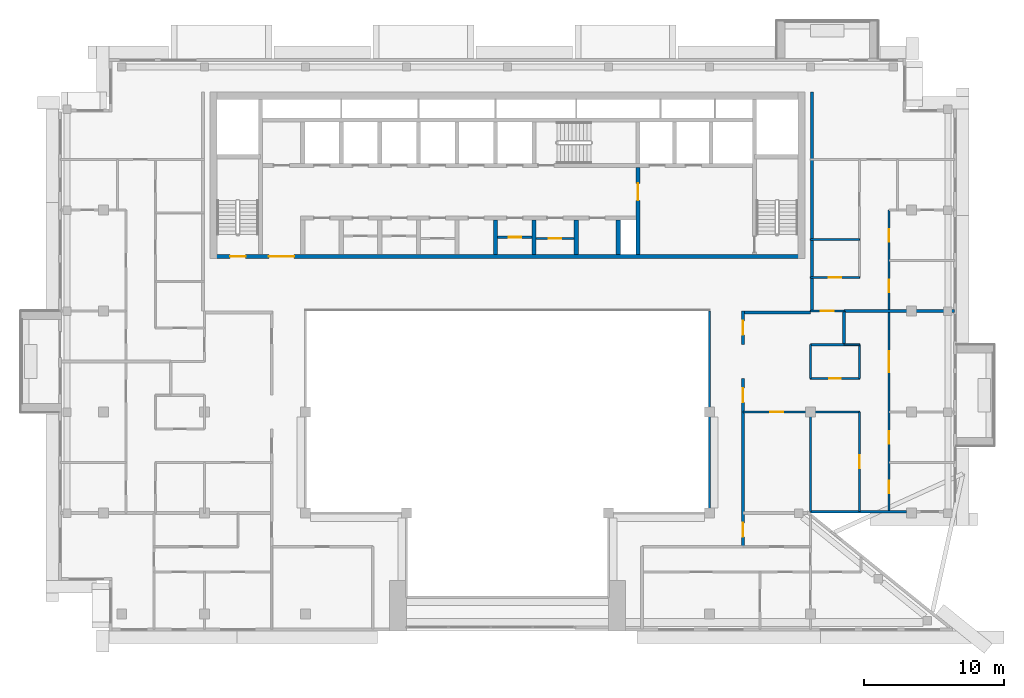
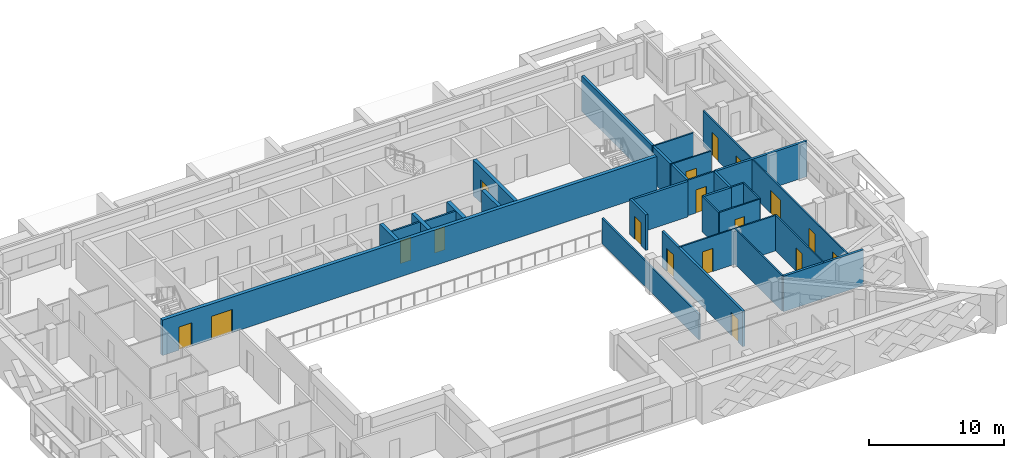
# One storey, part 9 of 18: 28 walls, 18 doors, 18 openings.
"""IFC4 building model written with IfcOpenShell, lengths in metres."""

from ifc_helpers import new_model, si_unit, direction, frame, frame_2d, origin, place, context, subcontext, project, spatial, rectangle, extrude, material, layer, layer_set, type_object, element, fill, save


model = new_model("IFC4")

# Units and contexts
model_context = context("Model", 3, precision=1e-05, world=origin(), true_north=direction((0.0, 1.0)))
body_context = subcontext(model_context, "Body", "Model", "MODEL_VIEW")
ifc_project = project(units=[si_unit("LENGTHUNIT", "METRE"), si_unit("AREAUNIT", "SQUARE_METRE"), si_unit("VOLUMEUNIT", "CUBIC_METRE"), si_unit("PLANEANGLEUNIT", "RADIAN"), si_unit("MASSUNIT", "GRAM", prefix="KILO")], contexts=[model_context])

# Site, building, storey
site_placement = place(None, origin())
site = spatial("IfcSite", under=ifc_project, at=site_placement, CompositionType="ELEMENT")
building_placement = place(site_placement, origin())
building = spatial("IfcBuilding", under=site, at=building_placement, Name="Saffron Iwan Residences", CompositionType="ELEMENT")
storey_placement = place(building_placement, frame((0.0, 0.0, 257.0)))
storey = spatial("IfcBuildingStorey", under=building, at=storey_placement, Name="L69", CompositionType="ELEMENT", Elevation=257.0)

# Wall
ifc_material_1 = material(Name="Fire-rated glazing", Category="glass")
ifc_layer_1 = layer(ifc_material_1, 0.14990234375)
ifc_layer_set_1 = layer_set([ifc_layer_1], Name="Fire-rated glazing")
wall_type_1 = type_object("IfcWallType", Name="Atrium glazed screen 150", PredefinedType="SOLIDWALL", material=ifc_layer_set_1)
wall_1_placement = place(storey_placement, frame((64.800048828125, 48.0, 0.0), z_axis=(0.0, 0.0, 1.0), x_axis=(0.0, 1.0, 0.0)))
element("IfcWall", 1, at=wall_1_placement, inside=storey, type_object=wall_type_1, Name="W-L69-SCREEN-v64.8-48", PredefinedType="SOLIDWALL", context=body_context, shape_type="SweptSolid", body=[
    extrude(rectangle(XDim=14.39990234375, YDim=0.14990234375, at=frame_2d((7.199951171875, 0.0))), origin(), (0.0, 0.0, 1.0), 2.320068359375),
])

# Wall, opening, door
ifc_material_2 = material(Name="Fire-rated plasterboard partition")
ifc_layer_2 = layer(ifc_material_2, 0.14990234375)
ifc_layer_set_2 = layer_set([ifc_layer_2], Name="Fire-rated plasterboard partition")
wall_type_2 = type_object("IfcWallType", Name="Core partition 150", PredefinedType="PARTITIONING", material=ifc_layer_set_2)
wall_2_placement = place(storey_placement, frame((49.699951171875, 67.66259765625, 0.0), z_axis=(0.0, 0.0, 1.0), x_axis=(1.0, 0.0, 0.0)))
wall_2 = element("IfcWall", 2, at=wall_2_placement, inside=storey, type_object=wall_type_2, Name="Core partition P04", PredefinedType="PARTITIONING", context=body_context, shape_type="SweptSolid", body=[
    extrude(rectangle(XDim=2.449951171875, YDim=0.14990234375, at=frame_2d((1.22509765625, 0.0))), origin(), (0.0, 0.0, 1.0), 3.219970703125),
])
opening_1_placement = place(wall_2_placement, frame((0.77490234375, 0.0, 0.0)))
opening_1 = element("IfcOpeningElement", 3, at=opening_1_placement, cuts=wall_2, Name="Opening SB", PredefinedType="OPENING", context=body_context, shape_type="SweptSolid", body=[
    extrude(rectangle(XDim=0.89990234375, YDim=2.10009765625, at=frame_2d((0.449951171875, 1.050048828125))), frame((0.0, 0.0849609375, 0.0), z_axis=(0.0, -1.0, 0.0), x_axis=(1.0, 0.0, 0.0)), (0.0, 0.0, 1.0), 0.169921875),
])
ifc_material_3 = material(Name="Steel fire door", Category="steel")
door_type_1 = type_object("IfcDoorType", Name="Store door 900", OperationType="NOTDEFINED", PredefinedType="DOOR", material=ifc_material_3)
door_1_placement = place(opening_1_placement, origin())
door_1 = element("IfcDoor", 4, at=door_1_placement, inside=storey, type_object=door_type_1, Name="Door Records store", OperationType="SINGLE_SWING_LEFT", OverallHeight=2.10009765625, OverallWidth=0.89990234375, PredefinedType="DOOR", context=body_context, shape_type="SweptSolid", body=[
    extrude(rectangle(XDim=0.89990234375, YDim=2.10009765625, at=frame_2d((0.449951171875, 1.050048828125))), frame((0.0, 0.02490234375, 0.0), z_axis=(0.0, -1.0, 0.0), x_axis=(1.0, 0.0, 0.0)), (0.0, 0.0, 1.0), 0.050048828125),
])
fill(opening_1, door_1)

wall_3_placement = place(storey_placement, frame((52.449951171875, 67.5654296875, 0.0), z_axis=(0.0, 0.0, 1.0), x_axis=(1.0, 0.0, 0.0)))
wall_3 = element("IfcWall", 5, at=wall_3_placement, inside=storey, type_object=wall_type_2, Name="Core partition P05", PredefinedType="PARTITIONING", context=body_context, shape_type="SweptSolid", body=[
    extrude(rectangle(XDim=2.699951171875, YDim=0.14990234375, at=frame_2d((1.35009765625, 0.0))), origin(), (0.0, 0.0, 1.0), 3.219970703125),
])
opening_2_placement = place(wall_3_placement, frame((0.89990234375, 0.0, 0.0)))
opening_2 = element("IfcOpeningElement", 6, at=opening_2_placement, cuts=wall_3, Name="Opening SB", PredefinedType="OPENING", context=body_context, shape_type="SweptSolid", body=[
    extrude(rectangle(XDim=0.89990234375, YDim=2.10009765625, at=frame_2d((0.449951171875, 1.050048828125))), frame((0.0, 0.0849609375, 0.0), z_axis=(0.0, -1.0, 0.0), x_axis=(1.0, 0.0, 0.0)), (0.0, 0.0, 1.0), 0.169921875),
])
door_2_placement = place(opening_2_placement, origin())
door_2 = element("IfcDoor", 7, at=door_2_placement, inside=storey, type_object=door_type_1, Name="Door Equipment store", OperationType="SINGLE_SWING_RIGHT", OverallHeight=2.10009765625, OverallWidth=0.89990234375, PredefinedType="DOOR", context=body_context, shape_type="SweptSolid", body=[
    extrude(rectangle(XDim=0.89990234375, YDim=2.10009765625, at=frame_2d((0.449951171875, 1.050048828125))), frame((0.0, 0.02490234375, 0.0), z_axis=(0.0, -1.0, 0.0), x_axis=(1.0, 0.0, 0.0)), (0.0, 0.0, 1.0), 0.050048828125),
])
fill(opening_2, door_2)

# Walls
ifc_material_4 = material(Name="Concrete C40/50", Category="concrete")
ifc_layer_3 = layer(ifc_material_4, 0.199951171875)
ifc_layer_set_3 = layer_set([ifc_layer_3], Name="Concrete C40/50")
wall_type_3 = type_object("IfcWallType", Name="EXTERNAL WALL 200", PredefinedType="SOLIDWALL", material=ifc_layer_set_3)
wall_4_placement = place(storey_placement, frame((71.987060546875, 48.10009765625, 0.0), z_axis=(0.0, 0.0, 1.0), x_axis=(1.0, 0.0, 0.0)))
element("IfcWall", 8, at=wall_4_placement, inside=storey, type_object=wall_type_3, Name="External wall L69 F1.0", PredefinedType="SOLIDWALL", context=body_context, shape_type="SweptSolid", body=[
    extrude(rectangle(XDim=6.863037109375, YDim=0.199951171875, at=frame_2d((3.431640625, 0.0))), origin(), (0.0, 0.0, 1.0), 3.219970703125),
])
ifc_material_5 = material(Name="Fire-rated gypsum board wall")
ifc_layer_4 = layer(ifc_material_5, 0.199951171875)
ifc_layer_set_4 = layer_set([ifc_layer_4], Name="Fire-rated gypsum board wall")
wall_type_4 = type_object("IfcWallType", Name="Flat demising wall 200", PredefinedType="SOLIDWALL", material=ifc_layer_set_4)
wall_5_placement = place(storey_placement, frame((72.0, 60.0, 0.0), z_axis=(0.0, 0.0, 1.0), x_axis=(1.0, 0.0, 0.0)))
element("IfcWall", 9, at=wall_5_placement, inside=storey, type_object=wall_type_4, Name="W-L69-DEMISE-h60-72", PredefinedType="SOLIDWALL", context=body_context, shape_type="SweptSolid", body=[
    extrude(rectangle(XDim=2.39990234375, YDim=0.199951171875, at=frame_2d((1.199951171875, 0.0))), origin(), (0.0, 0.0, 1.0), 3.219970703125),
])
wall_6_placement = place(storey_placement, frame((74.39990234375, 62.39990234375, 0.0), z_axis=(0.0, 0.0, 1.0), x_axis=(1.0, 0.0, 0.0)))
element("IfcWall", 10, at=wall_6_placement, inside=storey, type_object=wall_type_4, Name="W-L69-DEMISE-h62.4-74.4", PredefinedType="SOLIDWALL", context=body_context, shape_type="SweptSolid", body=[
    extrude(rectangle(XDim=7.875, YDim=0.199951171875, at=frame_2d((3.9375, 0.0))), origin(), (0.0, 0.0, 1.0), 3.219970703125),
])
wall_7_placement = place(storey_placement, frame((74.39990234375, 60.0, 0.0), z_axis=(0.0, 0.0, 1.0), x_axis=(0.0, 1.0, 0.0)))
element("IfcWall", 11, at=wall_7_placement, inside=storey, type_object=wall_type_4, Name="W-L69-DEMISE-v74.4-60", PredefinedType="SOLIDWALL", context=body_context, shape_type="SweptSolid", body=[
    extrude(rectangle(XDim=2.39990234375, YDim=0.199951171875, at=frame_2d((1.199951171875, 0.0))), origin(), (0.0, 0.0, 1.0), 3.219970703125),
])

# Wall, opening, door
ifc_material_6 = material(Name="Gypsum board partition")
ifc_layer_5 = layer(ifc_material_6, 0.1201171875)
ifc_layer_set_5 = layer_set([ifc_layer_5], Name="Gypsum board partition")
wall_type_5 = type_object("IfcWallType", Name="Flat partition 120", PredefinedType="PARTITIONING", material=ifc_layer_set_5)
wall_8_placement = place(storey_placement, frame((67.199951171875, 55.199951171875, 0.0), z_axis=(0.0, 0.0, 1.0), x_axis=(1.0, 0.0, 0.0)))
wall_8 = element("IfcWall", 12, at=wall_8_placement, inside=storey, type_object=wall_type_5, Name="W-L69-PART-h55.2-67.2", PredefinedType="PARTITIONING", context=body_context, shape_type="SweptSolid", body=[
    extrude(rectangle(XDim=8.300048828125, YDim=0.1201171875, at=frame_2d((4.14990234375, 0.0))), origin(), (0.0, 0.0, 1.0), 3.219970703125),
])
opening_3_placement = place(wall_8_placement, frame((1.949951171875, 0.0, 0.0)))
opening_3 = element("IfcOpeningElement", 13, at=opening_3_placement, cuts=wall_8, Name="Opening FD2", PredefinedType="OPENING", context=body_context, shape_type="SweptSolid", body=[
    extrude(rectangle(XDim=0.89990234375, YDim=2.10009765625, at=frame_2d((0.449951171875, 1.050048828125))), frame((0.0, 0.070068359375, 0.0), z_axis=(0.0, -1.0, 0.0), x_axis=(1.0, 0.0, 0.0)), (0.0, 0.0, 1.0), 0.14013671875),
])
ifc_material_7 = material(Name="Timber door", Category="wood")
door_type_2 = type_object("IfcDoorType", Name="Flat door 900", OperationType="NOTDEFINED", PredefinedType="DOOR", material=ifc_material_7)
door_3_placement = place(opening_3_placement, origin())
door_3 = element("IfcDoor", 14, at=door_3_placement, inside=storey, type_object=door_type_2, Name="Door L69-019", OperationType="SINGLE_SWING_RIGHT", OverallHeight=2.10009765625, OverallWidth=0.89990234375, PredefinedType="DOOR", context=body_context, shape_type="SweptSolid", body=[
    extrude(rectangle(XDim=0.89990234375, YDim=2.10009765625, at=frame_2d((0.449951171875, 1.050048828125))), frame((0.0, 0.02490234375, 0.0), z_axis=(0.0, -1.0, 0.0), x_axis=(1.0, 0.0, 0.0)), (0.0, 0.0, 1.0), 0.050048828125),
])
fill(opening_3, door_3)

wall_9_placement = place(storey_placement, frame((72.0, 57.60009765625, 0.0), z_axis=(0.0, 0.0, 1.0), x_axis=(1.0, 0.0, 0.0)))
wall_9 = element("IfcWall", 15, at=wall_9_placement, inside=storey, type_object=wall_type_5, Name="W-L69-PART-h57.6-72", PredefinedType="PARTITIONING", context=body_context, shape_type="SweptSolid", body=[
    extrude(rectangle(XDim=3.5, YDim=0.1201171875, at=frame_2d((1.75, 0.0))), origin(), (0.0, 0.0, 1.0), 3.219970703125),
])
opening_4_placement = place(wall_9_placement, frame((1.35009765625, 0.0, 0.0)))
opening_4 = element("IfcOpeningElement", 16, at=opening_4_placement, cuts=wall_9, Name="Opening FD3", PredefinedType="OPENING", context=body_context, shape_type="SweptSolid", body=[
    extrude(rectangle(XDim=0.800048828125, YDim=2.10009765625, at=frame_2d((0.39990234375, 1.050048828125))), frame((0.0, 0.070068359375, 0.0), z_axis=(0.0, -1.0, 0.0), x_axis=(1.0, 0.0, 0.0)), (0.0, 0.0, 1.0), 0.14013671875),
])
door_type_3 = type_object("IfcDoorType", Name="Bathroom door 800", OperationType="NOTDEFINED", PredefinedType="DOOR", material=ifc_material_7)
door_4_placement = place(opening_4_placement, origin())
door_4 = element("IfcDoor", 17, at=door_4_placement, inside=storey, type_object=door_type_3, Name="Door L69-018", OperationType="SINGLE_SWING_LEFT", OverallHeight=2.10009765625, OverallWidth=0.800048828125, PredefinedType="DOOR", context=body_context, shape_type="SweptSolid", body=[
    extrude(rectangle(XDim=0.800048828125, YDim=2.10009765625, at=frame_2d((0.39990234375, 1.050048828125))), frame((0.0, 0.02490234375, 0.0), z_axis=(0.0, -1.0, 0.0), x_axis=(1.0, 0.0, 0.0)), (0.0, 0.0, 1.0), 0.050048828125),
])
fill(opening_4, door_4)

# Wall
wall_10_placement = place(storey_placement, frame((74.39990234375, 60.0, 0.0), z_axis=(0.0, 0.0, 1.0), x_axis=(1.0, 0.0, 0.0)))
element("IfcWall", 18, at=wall_10_placement, inside=storey, type_object=wall_type_5, Name="W-L69-PART-h60-74.4", PredefinedType="PARTITIONING", context=body_context, shape_type="SweptSolid", body=[
    extrude(rectangle(XDim=1.10009765625, YDim=0.1201171875, at=frame_2d((0.550048828125, 0.0))), origin(), (0.0, 0.0, 1.0), 3.219970703125),
])

# Wall, opening, door
wall_11_placement = place(storey_placement, frame((72.0, 62.39990234375, 0.0), z_axis=(0.0, 0.0, 1.0), x_axis=(1.0, 0.0, 0.0)))
wall_11 = element("IfcWall", 19, at=wall_11_placement, inside=storey, type_object=wall_type_5, Name="W-L69-PART-h62.4-72", PredefinedType="PARTITIONING", context=body_context, shape_type="SweptSolid", body=[
    extrude(rectangle(XDim=2.39990234375, YDim=0.1201171875, at=frame_2d((1.199951171875, 0.0))), origin(), (0.0, 0.0, 1.0), 3.219970703125),
])
opening_5_placement = place(wall_11_placement, frame((0.75, 0.0, 0.0)))
opening_5 = element("IfcOpeningElement", 20, at=opening_5_placement, cuts=wall_11, Name="Opening FD2", PredefinedType="OPENING", context=body_context, shape_type="SweptSolid", body=[
    extrude(rectangle(XDim=0.89990234375, YDim=2.10009765625, at=frame_2d((0.449951171875, 1.050048828125))), frame((0.0, 0.070068359375, 0.0), z_axis=(0.0, -1.0, 0.0), x_axis=(1.0, 0.0, 0.0)), (0.0, 0.0, 1.0), 0.14013671875),
])
door_5_placement = place(opening_5_placement, origin())
door_5 = element("IfcDoor", 21, at=door_5_placement, inside=storey, type_object=door_type_2, Name="Door L69-029", OperationType="SINGLE_SWING_LEFT", OverallHeight=2.10009765625, OverallWidth=0.89990234375, PredefinedType="DOOR", context=body_context, shape_type="SweptSolid", body=[
    extrude(rectangle(XDim=0.89990234375, YDim=2.10009765625, at=frame_2d((0.449951171875, 1.050048828125))), frame((0.0, 0.02490234375, 0.0), z_axis=(0.0, -1.0, 0.0), x_axis=(1.0, 0.0, 0.0)), (0.0, 0.0, 1.0), 0.050048828125),
])
fill(opening_5, door_5)

wall_12_placement = place(storey_placement, frame((72.0, 64.800048828125, 0.0), z_axis=(0.0, 0.0, 1.0), x_axis=(1.0, 0.0, 0.0)))
wall_12 = element("IfcWall", 22, at=wall_12_placement, inside=storey, type_object=wall_type_5, Name="W-L69-PART-h64.8-72", PredefinedType="PARTITIONING", context=body_context, shape_type="SweptSolid", body=[
    extrude(rectangle(XDim=3.5, YDim=0.1201171875, at=frame_2d((1.75, 0.0))), origin(), (0.0, 0.0, 1.0), 3.219970703125),
])
opening_6_placement = place(wall_12_placement, frame((1.300048828125, 0.0, 0.0)))
opening_6 = element("IfcOpeningElement", 23, at=opening_6_placement, cuts=wall_12, Name="Opening FD2", PredefinedType="OPENING", context=body_context, shape_type="SweptSolid", body=[
    extrude(rectangle(XDim=0.89990234375, YDim=2.10009765625, at=frame_2d((0.449951171875, 1.050048828125))), frame((0.0, 0.070068359375, 0.0), z_axis=(0.0, -1.0, 0.0), x_axis=(1.0, 0.0, 0.0)), (0.0, 0.0, 1.0), 0.14013671875),
])
door_6_placement = place(opening_6_placement, origin())
door_6 = element("IfcDoor", 24, at=door_6_placement, inside=storey, type_object=door_type_2, Name="Door L69-035", OperationType="SINGLE_SWING_LEFT", OverallHeight=2.10009765625, OverallWidth=0.89990234375, PredefinedType="DOOR", context=body_context, shape_type="SweptSolid", body=[
    extrude(rectangle(XDim=0.89990234375, YDim=2.10009765625, at=frame_2d((0.449951171875, 1.050048828125))), frame((0.0, 0.02490234375, 0.0), z_axis=(0.0, -1.0, 0.0), x_axis=(1.0, 0.0, 0.0)), (0.0, 0.0, 1.0), 0.050048828125),
])
fill(opening_6, door_6)

# Walls
wall_13_placement = place(storey_placement, frame((72.0, 67.5, 0.0), z_axis=(0.0, 0.0, 1.0), x_axis=(1.0, 0.0, 0.0)))
element("IfcWall", 25, at=wall_13_placement, inside=storey, type_object=wall_type_5, Name="W-L69-PART-h67.5-72", PredefinedType="PARTITIONING", context=body_context, shape_type="SweptSolid", body=[
    extrude(rectangle(XDim=3.5, YDim=0.1201171875, at=frame_2d((1.75, 0.0))), origin(), (0.0, 0.0, 1.0), 3.219970703125),
])
wall_14_placement = place(storey_placement, frame((72.0, 48.125, 0.0), z_axis=(0.0, 0.0, 1.0), x_axis=(0.0, 1.0, 0.0)))
element("IfcWall", 26, at=wall_14_placement, inside=storey, type_object=wall_type_5, Name="W-L69-PART-v72-48.125", PredefinedType="PARTITIONING", context=body_context, shape_type="SweptSolid", body=[
    extrude(rectangle(XDim=7.074951171875, YDim=0.1201171875, at=frame_2d((3.53759765625, 0.0))), origin(), (0.0, 0.0, 1.0), 3.219970703125),
])
wall_15_placement = place(storey_placement, frame((72.0, 57.60009765625, 0.0), z_axis=(0.0, 0.0, 1.0), x_axis=(0.0, 1.0, 0.0)))
element("IfcWall", 27, at=wall_15_placement, inside=storey, type_object=wall_type_5, Name="W-L69-PART-v72-57.6", PredefinedType="PARTITIONING", context=body_context, shape_type="SweptSolid", body=[
    extrude(rectangle(XDim=2.39990234375, YDim=0.1201171875, at=frame_2d((1.199951171875, 0.0))), origin(), (0.0, 0.0, 1.0), 3.219970703125),
])

# Wall, opening, door
wall_16_placement = place(storey_placement, frame((75.5, 48.125, 0.0), z_axis=(0.0, 0.0, 1.0), x_axis=(0.0, 1.0, 0.0)))
wall_16 = element("IfcWall", 28, at=wall_16_placement, inside=storey, type_object=wall_type_5, Name="W-L69-PART-v75.5-48.125", PredefinedType="PARTITIONING", context=body_context, shape_type="SweptSolid", body=[
    extrude(rectangle(XDim=7.074951171875, YDim=0.1201171875, at=frame_2d((3.53759765625, 0.0))), origin(), (0.0, 0.0, 1.0), 3.219970703125),
])
opening_7_placement = place(wall_16_placement, frame((3.08740234375, 0.0, 0.0)))
opening_7 = element("IfcOpeningElement", 29, at=opening_7_placement, cuts=wall_16, Name="Opening FD2", PredefinedType="OPENING", context=body_context, shape_type="SweptSolid", body=[
    extrude(rectangle(XDim=0.89990234375, YDim=2.10009765625, at=frame_2d((0.449951171875, 1.050048828125))), frame((0.0, 0.070068359375, 0.0), z_axis=(0.0, -1.0, 0.0), x_axis=(1.0, 0.0, 0.0)), (0.0, 0.0, 1.0), 0.14013671875),
])
door_7_placement = place(opening_7_placement, origin())
door_7 = element("IfcDoor", 30, at=door_7_placement, inside=storey, type_object=door_type_2, Name="Door L69-017", OperationType="SINGLE_SWING_LEFT", OverallHeight=2.10009765625, OverallWidth=0.89990234375, PredefinedType="DOOR", context=body_context, shape_type="SweptSolid", body=[
    extrude(rectangle(XDim=0.89990234375, YDim=2.10009765625, at=frame_2d((0.449951171875, 1.050048828125))), frame((0.0, 0.02490234375, 0.0), z_axis=(0.0, -1.0, 0.0), x_axis=(1.0, 0.0, 0.0)), (0.0, 0.0, 1.0), 0.050048828125),
])
fill(opening_7, door_7)

# Wall
wall_17_placement = place(storey_placement, frame((75.5, 57.60009765625, 0.0), z_axis=(0.0, 0.0, 1.0), x_axis=(0.0, 1.0, 0.0)))
element("IfcWall", 31, at=wall_17_placement, inside=storey, type_object=wall_type_5, Name="W-L69-PART-v75.5-57.6", PredefinedType="PARTITIONING", context=body_context, shape_type="SweptSolid", body=[
    extrude(rectangle(XDim=2.39990234375, YDim=0.1201171875, at=frame_2d((1.199951171875, 0.0))), origin(), (0.0, 0.0, 1.0), 3.219970703125),
])

# Wall, openings, doors
wall_18_placement = place(storey_placement, frame((77.60009765625, 48.125, 0.0), z_axis=(0.0, 0.0, 1.0), x_axis=(0.0, 1.0, 0.0)))
wall_18 = element("IfcWall", 32, at=wall_18_placement, inside=storey, type_object=wall_type_5, Name="W-L69-PART-v77.6-48.125", PredefinedType="PARTITIONING", context=body_context, shape_type="SweptSolid", body=[
    extrude(rectangle(XDim=21.47509765625, YDim=0.1201171875, at=frame_2d((10.737548828125, 0.0))), origin(), (0.0, 0.0, 1.0), 3.219970703125),
])
opening_8_placement = place(wall_18_placement, frame((1.28759765625, 0.0, 0.0)))
opening_8 = element("IfcOpeningElement", 33, at=opening_8_placement, cuts=wall_18, Name="Opening FD2", PredefinedType="OPENING", context=body_context, shape_type="SweptSolid", body=[
    extrude(rectangle(XDim=0.89990234375, YDim=2.10009765625, at=frame_2d((0.449951171875, 1.050048828125))), frame((0.0, 0.070068359375, 0.0), z_axis=(0.0, -1.0, 0.0), x_axis=(1.0, 0.0, 0.0)), (0.0, 0.0, 1.0), 0.14013671875),
])
opening_9_placement = place(wall_18_placement, frame((4.824951171875, 0.0, 0.0)))
opening_9 = element("IfcOpeningElement", 34, at=opening_9_placement, cuts=wall_18, Name="Opening FD2", PredefinedType="OPENING", context=body_context, shape_type="SweptSolid", body=[
    extrude(rectangle(XDim=0.89990234375, YDim=2.10009765625, at=frame_2d((0.449951171875, 1.050048828125))), frame((0.0, 0.070068359375, 0.0), z_axis=(0.0, -1.0, 0.0), x_axis=(1.0, 0.0, 0.0)), (0.0, 0.0, 1.0), 0.14013671875),
])
opening_10_placement = place(wall_18_placement, frame((9.925048828125, 0.0, 0.0)))
opening_10 = element("IfcOpeningElement", 35, at=opening_10_placement, cuts=wall_18, Name="Opening FD4", PredefinedType="OPENING", context=body_context, shape_type="SweptSolid", body=[
    extrude(rectangle(XDim=1.5, YDim=2.10009765625, at=frame_2d((0.75, 1.050048828125))), frame((0.0, 0.070068359375, 0.0), z_axis=(0.0, -1.0, 0.0), x_axis=(1.0, 0.0, 0.0)), (0.0, 0.0, 1.0), 0.14013671875),
])
opening_11_placement = place(wall_18_placement, frame((15.625, 0.0, 0.0)))
opening_11 = element("IfcOpeningElement", 36, at=opening_11_placement, cuts=wall_18, Name="Opening FD2", PredefinedType="OPENING", context=body_context, shape_type="SweptSolid", body=[
    extrude(rectangle(XDim=0.89990234375, YDim=2.10009765625, at=frame_2d((0.449951171875, 1.050048828125))), frame((0.0, 0.070068359375, 0.0), z_axis=(0.0, -1.0, 0.0), x_axis=(1.0, 0.0, 0.0)), (0.0, 0.0, 1.0), 0.14013671875),
])
opening_12_placement = place(wall_18_placement, frame((19.22509765625, 0.0, 0.0)))
opening_12 = element("IfcOpeningElement", 37, at=opening_12_placement, cuts=wall_18, Name="Opening FD2", PredefinedType="OPENING", context=body_context, shape_type="SweptSolid", body=[
    extrude(rectangle(XDim=0.89990234375, YDim=2.10009765625, at=frame_2d((0.449951171875, 1.050048828125))), frame((0.0, 0.070068359375, 0.0), z_axis=(0.0, -1.0, 0.0), x_axis=(1.0, 0.0, 0.0)), (0.0, 0.0, 1.0), 0.14013671875),
])
door_type_4 = type_object("IfcDoorType", Name="Double door 1500", OperationType="NOTDEFINED", PredefinedType="DOOR", material=ifc_material_7)
door_8_placement = place(opening_10_placement, origin())
door_8 = element("IfcDoor", 38, at=door_8_placement, inside=storey, type_object=door_type_4, Name="Door L69-016", OperationType="SINGLE_SWING_RIGHT", OverallHeight=2.10009765625, OverallWidth=1.5, PredefinedType="DOOR", context=body_context, shape_type="SweptSolid", body=[
    extrude(rectangle(XDim=1.5, YDim=2.10009765625, at=frame_2d((0.75, 1.050048828125))), frame((0.0, 0.02490234375, 0.0), z_axis=(0.0, -1.0, 0.0), x_axis=(1.0, 0.0, 0.0)), (0.0, 0.0, 1.0), 0.050048828125),
])
fill(opening_10, door_8)
door_9_placement = place(opening_8_placement, origin())
door_9 = element("IfcDoor", 39, at=door_9_placement, inside=storey, type_object=door_type_2, Name="Door L69-014", OperationType="SINGLE_SWING_LEFT", OverallHeight=2.10009765625, OverallWidth=0.89990234375, PredefinedType="DOOR", context=body_context, shape_type="SweptSolid", body=[
    extrude(rectangle(XDim=0.89990234375, YDim=2.10009765625, at=frame_2d((0.449951171875, 1.050048828125))), frame((0.0, 0.02490234375, 0.0), z_axis=(0.0, -1.0, 0.0), x_axis=(1.0, 0.0, 0.0)), (0.0, 0.0, 1.0), 0.050048828125),
])
fill(opening_8, door_9)
door_10_placement = place(opening_9_placement, origin())
door_10 = element("IfcDoor", 40, at=door_10_placement, inside=storey, type_object=door_type_2, Name="Door L69-015", OperationType="SINGLE_SWING_LEFT", OverallHeight=2.10009765625, OverallWidth=0.89990234375, PredefinedType="DOOR", context=body_context, shape_type="SweptSolid", body=[
    extrude(rectangle(XDim=0.89990234375, YDim=2.10009765625, at=frame_2d((0.449951171875, 1.050048828125))), frame((0.0, 0.02490234375, 0.0), z_axis=(0.0, -1.0, 0.0), x_axis=(1.0, 0.0, 0.0)), (0.0, 0.0, 1.0), 0.050048828125),
])
fill(opening_9, door_10)
door_11_placement = place(opening_11_placement, origin())
door_11 = element("IfcDoor", 41, at=door_11_placement, inside=storey, type_object=door_type_2, Name="Door L69-031", OperationType="SINGLE_SWING_RIGHT", OverallHeight=2.10009765625, OverallWidth=0.89990234375, PredefinedType="DOOR", context=body_context, shape_type="SweptSolid", body=[
    extrude(rectangle(XDim=0.89990234375, YDim=2.10009765625, at=frame_2d((0.449951171875, 1.050048828125))), frame((0.0, 0.02490234375, 0.0), z_axis=(0.0, -1.0, 0.0), x_axis=(1.0, 0.0, 0.0)), (0.0, 0.0, 1.0), 0.050048828125),
])
fill(opening_11, door_11)
door_12_placement = place(opening_12_placement, origin())
door_12 = element("IfcDoor", 42, at=door_12_placement, inside=storey, type_object=door_type_2, Name="Door L69-032", OperationType="SINGLE_SWING_LEFT", OverallHeight=2.10009765625, OverallWidth=0.89990234375, PredefinedType="DOOR", context=body_context, shape_type="SweptSolid", body=[
    extrude(rectangle(XDim=0.89990234375, YDim=2.10009765625, at=frame_2d((0.449951171875, 1.050048828125))), frame((0.0, 0.02490234375, 0.0), z_axis=(0.0, -1.0, 0.0), x_axis=(1.0, 0.0, 0.0)), (0.0, 0.0, 1.0), 0.050048828125),
])
fill(opening_12, door_12)

# Wall
ifc_layer_6 = layer(ifc_material_5, 0.199951171875)
ifc_layer_set_6 = layer_set([ifc_layer_6], Name="Fire-rated gypsum board wall")
wall_type_6 = type_object("IfcWallType", Name="Gallery wall 200", PredefinedType="SOLIDWALL", material=ifc_layer_set_6)
wall_19_placement = place(storey_placement, frame((67.199951171875, 62.300048828125, 0.0), z_axis=(0.0, 0.0, 1.0), x_axis=(1.0, 0.0, 0.0)))
element("IfcWall", 43, at=wall_19_placement, inside=storey, type_object=wall_type_6, Name="W-L69-CORR-h62.4-67.2", PredefinedType="SOLIDWALL", context=body_context, shape_type="SweptSolid", body=[
    extrude(rectangle(XDim=4.800048828125, YDim=0.199951171875, at=frame_2d((2.39990234375, 0.0))), origin(), (0.0, 0.0, 1.0), 3.219970703125),
])

# Wall, openings, doors
wall_20_placement = place(storey_placement, frame((67.199951171875, 45.60009765625, 0.0), z_axis=(0.0, 0.0, 1.0), x_axis=(0.0, 1.0, 0.0)))
wall_20 = element("IfcWall", 44, at=wall_20_placement, inside=storey, type_object=wall_type_6, Name="W-L69-CORR-v67.2-45.6", PredefinedType="SOLIDWALL", context=body_context, shape_type="SweptSolid", body=[
    extrude(rectangle(XDim=12.0, YDim=0.199951171875, at=frame_2d((6.0, 0.0))), origin(), (0.0, 0.0, 1.0), 3.219970703125),
])
opening_13_placement = place(wall_20_placement, frame((10.300048828125, 0.0, 0.0)))
opening_13 = element("IfcOpeningElement", 45, at=opening_13_placement, cuts=wall_20, Name="Opening FD1", PredefinedType="OPENING", context=body_context, shape_type="SweptSolid", body=[
    extrude(rectangle(XDim=1.0, YDim=2.10009765625, at=frame_2d((0.5, 1.050048828125))), frame((0.0, 0.10986328125, 0.0), z_axis=(0.0, -1.0, 0.0), x_axis=(1.0, 0.0, 0.0)), (0.0, 0.0, 1.0), 0.219970703125),
])
opening_14_placement = place(wall_20_placement, frame((0.699951171875, 0.0, 0.0)))
opening_14 = element("IfcOpeningElement", 46, at=opening_14_placement, cuts=wall_20, Name="Opening FD5", PredefinedType="OPENING", context=body_context, shape_type="SweptSolid", body=[
    extrude(rectangle(XDim=1.0, YDim=2.10009765625, at=frame_2d((0.5, 1.050048828125))), frame((0.0, 0.10986328125, 0.0), z_axis=(0.0, -1.0, 0.0), x_axis=(1.0, 0.0, 0.0)), (0.0, 0.0, 1.0), 0.219970703125),
])
ifc_material_8 = material(Name="Fire-rated timber door", Category="wood")
door_type_5 = type_object("IfcDoorType", Name="FD30S flat entrance door 1000", OperationType="NOTDEFINED", PredefinedType="DOOR", material=ifc_material_8)
door_13_placement = place(opening_13_placement, origin())
door_13 = element("IfcDoor", 47, at=door_13_placement, inside=storey, type_object=door_type_5, Name="Door L69-013", OperationType="SINGLE_SWING_RIGHT", OverallHeight=2.10009765625, OverallWidth=1.0, PredefinedType="DOOR", context=body_context, shape_type="SweptSolid", body=[
    extrude(rectangle(XDim=1.0, YDim=2.10009765625, at=frame_2d((0.5, 1.050048828125))), frame((0.0, 0.02490234375, 0.0), z_axis=(0.0, -1.0, 0.0), x_axis=(1.0, 0.0, 0.0)), (0.0, 0.0, 1.0), 0.050048828125),
])
fill(opening_13, door_13)
door_type_6 = type_object("IfcDoorType", Name="Lobby door 1000", OperationType="NOTDEFINED", PredefinedType="DOOR", material=ifc_material_8)
door_14_placement = place(opening_14_placement, origin())
door_14 = element("IfcDoor", 48, at=door_14_placement, inside=storey, type_object=door_type_6, Name="Door L69-039", OperationType="SINGLE_SWING_LEFT", OverallHeight=2.10009765625, OverallWidth=1.0, PredefinedType="DOOR", context=body_context, shape_type="SweptSolid", body=[
    extrude(rectangle(XDim=1.0, YDim=2.10009765625, at=frame_2d((0.5, 1.050048828125))), frame((0.0, 0.02490234375, 0.0), z_axis=(0.0, -1.0, 0.0), x_axis=(1.0, 0.0, 0.0)), (0.0, 0.0, 1.0), 0.050048828125),
])
fill(opening_14, door_14)

# Wall, opening, door
wall_21_placement = place(storey_placement, frame((67.199951171875, 60.0, 0.0), z_axis=(0.0, 0.0, 1.0), x_axis=(0.0, 1.0, 0.0)))
wall_21 = element("IfcWall", 49, at=wall_21_placement, inside=storey, type_object=wall_type_6, Name="W-L69-CORR-v67.2-60", PredefinedType="SOLIDWALL", context=body_context, shape_type="SweptSolid", body=[
    extrude(rectangle(XDim=2.39990234375, YDim=0.199951171875, at=frame_2d((1.199951171875, 0.0))), origin(), (0.0, 0.0, 1.0), 3.219970703125),
])
opening_15_placement = place(wall_21_placement, frame((0.699951171875, 0.0, 0.0)))
opening_15 = element("IfcOpeningElement", 50, at=opening_15_placement, cuts=wall_21, Name="Opening FD5", PredefinedType="OPENING", context=body_context, shape_type="SweptSolid", body=[
    extrude(rectangle(XDim=1.0, YDim=2.10009765625, at=frame_2d((0.5, 1.050048828125))), frame((0.0, 0.10986328125, 0.0), z_axis=(0.0, -1.0, 0.0), x_axis=(1.0, 0.0, 0.0)), (0.0, 0.0, 1.0), 0.219970703125),
])
door_15_placement = place(opening_15_placement, origin())
door_15 = element("IfcDoor", 51, at=door_15_placement, inside=storey, type_object=door_type_6, Name="Door L69-030", OperationType="SINGLE_SWING_LEFT", OverallHeight=2.10009765625, OverallWidth=1.0, PredefinedType="DOOR", context=body_context, shape_type="SweptSolid", body=[
    extrude(rectangle(XDim=1.0, YDim=2.10009765625, at=frame_2d((0.5, 1.050048828125))), frame((0.0, 0.02490234375, 0.0), z_axis=(0.0, -1.0, 0.0), x_axis=(1.0, 0.0, 0.0)), (0.0, 0.0, 1.0), 0.050048828125),
])
fill(opening_15, door_15)

# Wall
wall_22_placement = place(storey_placement, frame((72.10009765625, 62.39990234375, 0.0), z_axis=(0.0, 0.0, 1.0), x_axis=(0.0, 1.0, 0.0)))
element("IfcWall", 52, at=wall_22_placement, inside=storey, type_object=wall_type_6, Name="W-L69-CORR-v72-62.4", PredefinedType="SOLIDWALL", context=body_context, shape_type="SweptSolid", body=[
    extrude(rectangle(XDim=15.60009765625, YDim=0.199951171875, at=frame_2d((7.800048828125, 0.0))), origin(), (0.0, 0.0, 1.0), 3.219970703125),
])

# Wall, openings, doors
ifc_layer_7 = layer(ifc_material_4, 0.300048828125)
ifc_layer_set_7 = layer_set([ifc_layer_7], Name="Concrete C40/50")
wall_type_7 = type_object("IfcWallType", Name="WALL CORE 300 C40/50 3220 HIGH", PredefinedType="SHEAR", material=ifc_layer_set_7)
wall_23_placement = place(storey_placement, frame((29.199951171875, 66.300048828125, 0.0), z_axis=(0.0, 0.0, 1.0), x_axis=(1.0, 0.0, 0.0)))
wall_23 = element("IfcWall", 53, at=wall_23_placement, inside=storey, type_object=wall_type_7, Name="Core wall", PredefinedType="SHEAR", context=body_context, shape_type="SweptSolid", body=[
    extrude(rectangle(XDim=42.400146484375, YDim=0.300048828125, at=frame_2d((21.2001953125, 0.0))), origin(), (0.0, 0.0, 1.0), 3.219970703125),
])
opening_16_placement = place(wall_23_placement, frame((1.425048828125, 0.0, 0.0)))
opening_16 = element("IfcOpeningElement", 54, at=opening_16_placement, cuts=wall_23, Name="Opening SD", PredefinedType="OPENING", context=body_context, shape_type="SweptSolid", body=[
    extrude(rectangle(XDim=1.10009765625, YDim=2.10009765625, at=frame_2d((0.550048828125, 1.050048828125))), frame((0.0, 0.16015625, 0.0), z_axis=(0.0, -1.0, 0.0), x_axis=(1.0, 0.0, 0.0)), (0.0, 0.0, 1.0), 0.320068359375),
])
opening_17_placement = place(wall_23_placement, frame((4.199951171875, 0.0, 0.0)))
opening_17 = element("IfcOpeningElement", 55, at=opening_17_placement, cuts=wall_23, Name="Opening DD", PredefinedType="OPENING", context=body_context, shape_type="SweptSolid", body=[
    extrude(rectangle(XDim=1.800048828125, YDim=2.10009765625, at=frame_2d((0.89990234375, 1.050048828125))), frame((0.0, 0.16015625, 0.0), z_axis=(0.0, -1.0, 0.0), x_axis=(1.0, 0.0, 0.0)), (0.0, 0.0, 1.0), 0.320068359375),
])
door_type_7 = type_object("IfcDoorType", Name="Lobby double door 1800", OperationType="DOUBLE_DOOR_SINGLE_SWING", PredefinedType="DOOR", material=ifc_material_3)
door_16_placement = place(opening_17_placement, origin())
door_16 = element("IfcDoor", 56, at=door_16_placement, inside=storey, type_object=door_type_7, Name="Lobby doors", OperationType="DOUBLE_DOOR_SINGLE_SWING", OverallHeight=2.10009765625, OverallWidth=1.800048828125, PredefinedType="DOOR", context=body_context, shape_type="SweptSolid", body=[
    extrude(rectangle(XDim=1.800048828125, YDim=2.10009765625, at=frame_2d((0.89990234375, 1.050048828125))), frame((0.0, 0.02490234375, 0.0), z_axis=(0.0, -1.0, 0.0), x_axis=(1.0, 0.0, 0.0)), (0.0, 0.0, 1.0), 0.050048828125),
])
fill(opening_17, door_16)
door_type_8 = type_object("IfcDoorType", Name="Stair door 1100", OperationType="NOTDEFINED", PredefinedType="DOOR", material=ifc_material_3)
door_17_placement = place(opening_16_placement, origin())
door_17 = element("IfcDoor", 57, at=door_17_placement, inside=storey, type_object=door_type_8, Name="Stair door ST-W", OperationType="SINGLE_SWING_LEFT", OverallHeight=2.10009765625, OverallWidth=1.10009765625, PredefinedType="DOOR", context=body_context, shape_type="SweptSolid", body=[
    extrude(rectangle(XDim=1.10009765625, YDim=2.10009765625, at=frame_2d((0.550048828125, 1.050048828125))), frame((0.0, 0.02490234375, 0.0), z_axis=(0.0, -1.0, 0.0), x_axis=(1.0, 0.0, 0.0)), (0.0, 0.0, 1.0), 0.050048828125),
])
fill(opening_16, door_17)

# Wall, opening, door
wall_24_placement = place(storey_placement, frame((59.699951171875, 66.449951171875, 0.0), z_axis=(0.0, 0.0, 1.0), x_axis=(0.0, 1.0, 0.0)))
wall_24 = element("IfcWall", 58, at=wall_24_placement, inside=storey, type_object=wall_type_7, Name="Core wall", PredefinedType="SHEAR", context=body_context, shape_type="SweptSolid", body=[
    extrude(rectangle(XDim=6.175048828125, YDim=0.300048828125, at=frame_2d((3.08740234375, 0.0))), origin(), (0.0, 0.0, 1.0), 3.219970703125),
])
opening_18_placement = place(wall_24_placement, frame((3.85009765625, 0.0, 0.0)))
opening_18 = element("IfcOpeningElement", 59, at=opening_18_placement, cuts=wall_24, Name="Opening FD", PredefinedType="OPENING", context=body_context, shape_type="SweptSolid", body=[
    extrude(rectangle(XDim=1.199951171875, YDim=2.10009765625, at=frame_2d((0.60009765625, 1.050048828125))), frame((0.0, 0.16015625, 0.0), z_axis=(0.0, -1.0, 0.0), x_axis=(1.0, 0.0, 0.0)), (0.0, 0.0, 1.0), 0.320068359375),
])
door_type_9 = type_object("IfcDoorType", Name="Firefighting lobby door 1200", OperationType="NOTDEFINED", PredefinedType="DOOR", material=ifc_material_3)
door_18_placement = place(opening_18_placement, origin())
door_18 = element("IfcDoor", 60, at=door_18_placement, inside=storey, type_object=door_type_9, Name="Firefighting lobby door", OperationType="SINGLE_SWING_LEFT", OverallHeight=2.10009765625, OverallWidth=1.199951171875, PredefinedType="DOOR", context=body_context, shape_type="SweptSolid", body=[
    extrude(rectangle(XDim=1.199951171875, YDim=2.10009765625, at=frame_2d((0.60009765625, 1.050048828125))), frame((0.0, 0.02490234375, 0.0), z_axis=(0.0, -1.0, 0.0), x_axis=(1.0, 0.0, 0.0)), (0.0, 0.0, 1.0), 0.050048828125),
])
fill(opening_18, door_18)

# Walls
for number, where, z_axis, x_axis, name in (
    (61, (49.550048828125, 66.449951171875, 0.0), (0.0, 0.0, 1.0), (0.0, 1.0, 0.0), "Core wall"),
    (62, (52.300048828125, 66.449951171875, 0.0), (0.0, 0.0, 1.0), (0.0, 1.0, 0.0), "Core wall"),
    (63, (55.300048828125, 66.449951171875, 0.0), (0.0, 0.0, 1.0), (0.0, 1.0, 0.0), "Core wall"),
    (64, (58.300048828125, 66.449951171875, 0.0), (0.0, 0.0, 1.0), (0.0, 1.0, 0.0), "Core wall"),
):
    element("IfcWall", number, at=place(storey_placement, frame(where, z_axis=z_axis, x_axis=x_axis)), inside=storey, type_object=wall_type_7, Name=name, PredefinedType="SHEAR", context=body_context, shape_type="SweptSolid", body=[
        extrude(rectangle(XDim=2.425048828125, YDim=0.300048828125, at=frame_2d((1.21240234375, 0.0))), origin(), (0.0, 0.0, 1.0), 3.219970703125),
    ])

save(model, "model.ifc")
